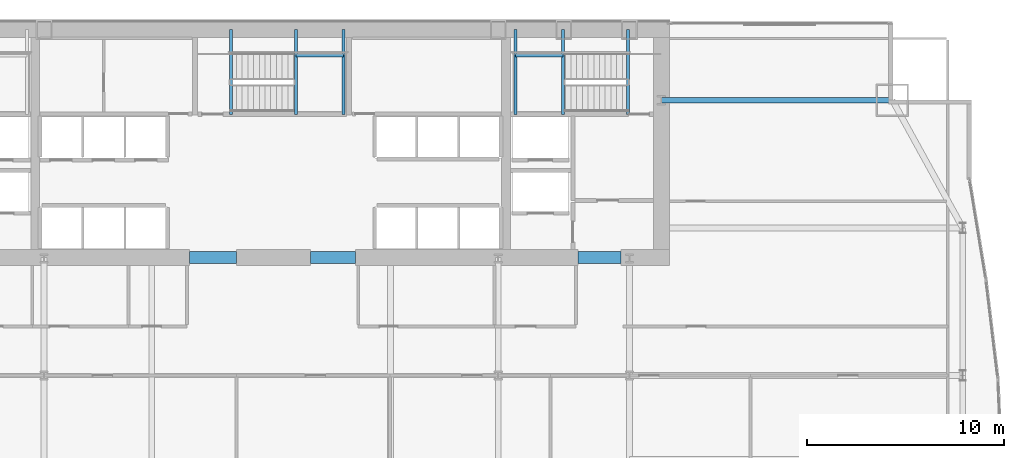
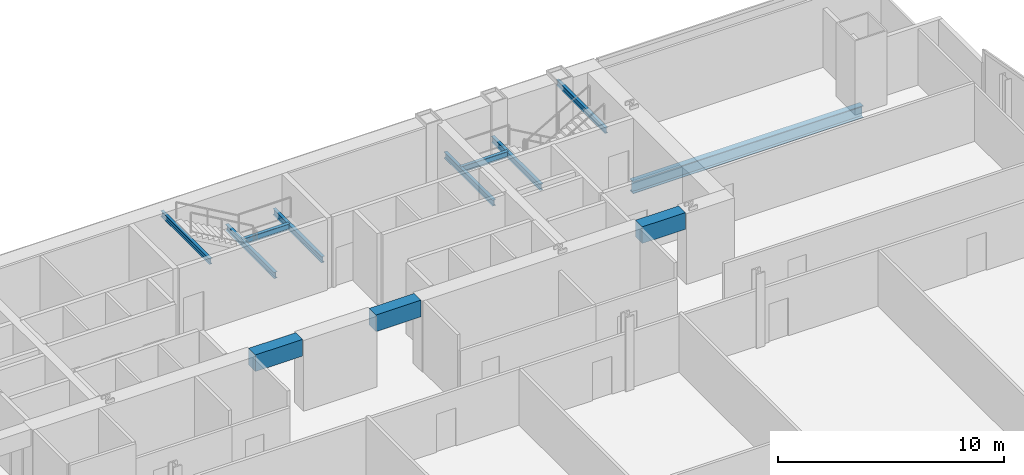
# One storey, part 19 of 32: 12 beams.
"""IFC4 building model written with IfcOpenShell, lengths in metres."""

from ifc_helpers import new_model, si_unit, direction, frame, origin, origin_2d, place, context, subcontext, project, spatial, rectangle, i_section, extrude, material, material_profile, profile_set, type_object, element, save


model = new_model("IFC4")

# Units and contexts
model_context = context("Model", 3, precision=1e-05, world=origin(), true_north=direction((0.0, 1.0)))
body_context = subcontext(model_context, "Body", "Model", "MODEL_VIEW")
ifc_project = project(units=[si_unit("LENGTHUNIT", "METRE"), si_unit("AREAUNIT", "SQUARE_METRE"), si_unit("VOLUMEUNIT", "CUBIC_METRE"), si_unit("PLANEANGLEUNIT", "RADIAN"), si_unit("MASSUNIT", "GRAM", prefix="KILO")], contexts=[model_context])

# Site, building, storey
site_placement = place(None, origin())
site = spatial("IfcSite", under=ifc_project, at=site_placement, CompositionType="ELEMENT")
building_placement = place(site_placement, origin())
building = spatial("IfcBuilding", under=site, at=building_placement, Name="Khoronbel Lancet Exchange", CompositionType="ELEMENT")
storey_placement = place(building_placement, frame((0.0, 0.0, 65.800048828125)))
storey = spatial("IfcBuildingStorey", under=building, at=storey_placement, Name="L15", CompositionType="ELEMENT", Elevation=65.800048828125)

# Beams
ifc_material_1 = material(Name="Steel S355", Category="steel")
ifc_material_profile_1 = material_profile(ifc_material_1, i_section(OverallWidth=0.159912109375, OverallDepth=0.330078125, WebThickness=0.007568359375, FlangeThickness=0.011474609375, at=origin_2d()), Name="IPE 330")
ifc_profile_set_1 = profile_set([ifc_material_profile_1], Name="Steel S355")
beam_type_1 = type_object("IfcBeamType", Name="BM-BJ7", PredefinedType="JOIST", material=ifc_profile_set_1)
for number, where, z_axis, x_axis, name in (
    (1, (51.2900390625, 48.97998046875, 1.635009765625), (0.0, 1.0, 0.0), (-1.0, 0.0, 0.0), "Level L15 stair ST2 landing bearer beam 1"),
    (2, (48.8701171875, 48.97998046875, 1.635009765625), (0.0, 1.0, 0.0), (-1.0, 0.0, 0.0), "Level L15 stair ST2 rear landing bearer beam 1"),
):
    element("IfcBeam", number, at=place(storey_placement, frame(where, z_axis=z_axis, x_axis=x_axis)), inside=storey, type_object=beam_type_1, Name=name, PredefinedType="JOIST", context=body_context, shape_type="SweptSolid", body=[
        extrude(i_section(OverallWidth=0.159912109375, OverallDepth=0.330078125, WebThickness=0.007568359375, FlangeThickness=0.011474609375, at=origin_2d()), origin(), (0.0, 0.0, 1.0), 4.320068359375),
    ])
beam_1_placement = place(storey_placement, frame((48.8701171875, 51.97998046875, 1.635009765625), z_axis=(1.0, 0.0, 0.0), x_axis=(0.0, 1.0, 0.0)))
element("IfcBeam", 3, at=beam_1_placement, inside=storey, type_object=beam_type_1, Name="Level L15 stair ST2 landing cross trimmer beam 1", PredefinedType="JOIST", context=body_context, shape_type="SweptSolid", body=[
    extrude(i_section(OverallWidth=0.159912109375, OverallDepth=0.330078125, WebThickness=0.007568359375, FlangeThickness=0.011474609375, at=origin_2d()), origin(), (0.0, 0.0, 1.0), 2.419921875),
])
for number, where, z_axis, x_axis, name in (
    (4, (37.7099609375, 48.97998046875, 1.635009765625), (0.0, 1.0, 0.0), (-1.0, 0.0, 0.0), "Level L15 stair ST3 landing bearer beam 1"),
    (5, (40.1298828125, 48.97998046875, 1.635009765625), (0.0, 1.0, 0.0), (-1.0, 0.0, 0.0), "Level L15 stair ST3 rear landing bearer beam 1"),
):
    element("IfcBeam", number, at=place(storey_placement, frame(where, z_axis=z_axis, x_axis=x_axis)), inside=storey, type_object=beam_type_1, Name=name, PredefinedType="JOIST", context=body_context, shape_type="SweptSolid", body=[
        extrude(i_section(OverallWidth=0.159912109375, OverallDepth=0.330078125, WebThickness=0.007568359375, FlangeThickness=0.011474609375, at=origin_2d()), origin(), (0.0, 0.0, 1.0), 4.320068359375),
    ])
beam_2_placement = place(storey_placement, frame((37.7099609375, 51.97998046875, 1.635009765625), z_axis=(1.0, 0.0, 0.0), x_axis=(0.0, 1.0, 0.0)))
element("IfcBeam", 6, at=beam_2_placement, inside=storey, type_object=beam_type_1, Name="Level L15 stair ST3 landing cross trimmer beam 1", PredefinedType="JOIST", context=body_context, shape_type="SweptSolid", body=[
    extrude(i_section(OverallWidth=0.159912109375, OverallDepth=0.330078125, WebThickness=0.007568359375, FlangeThickness=0.011474609375, at=origin_2d()), origin(), (0.0, 0.0, 1.0), 2.419921875),
])
ifc_material_profile_2 = material_profile(ifc_material_1, i_section(OverallWidth=0.14990234375, OverallDepth=0.300048828125, WebThickness=0.007080078125, FlangeThickness=0.0107421875, at=origin_2d()), Name="IPE 300")
ifc_profile_set_2 = profile_set([ifc_material_profile_2], Name="Steel S355")
beam_type_2 = type_object("IfcBeamType", Name="BM-BJ8", PredefinedType="JOIST", material=ifc_profile_set_2)
for number, where, z_axis, x_axis, name in (
    (7, (54.60009765625, 48.97998046875, 3.5400390625), (0.0, 1.0, 0.0), (-1.0, 0.0, 0.0), "Level L15 stair ST2 upper-flight arrival trimmer beam"),
    (8, (34.39990234375, 48.97998046875, 3.5400390625), (0.0, 1.0, 0.0), (-1.0, 0.0, 0.0), "Level L15 stair ST3 upper-flight arrival trimmer beam"),
):
    element("IfcBeam", number, at=place(storey_placement, frame(where, z_axis=z_axis, x_axis=x_axis)), inside=storey, type_object=beam_type_2, Name=name, PredefinedType="JOIST", context=body_context, shape_type="SweptSolid", body=[
        extrude(i_section(OverallWidth=0.14990234375, OverallDepth=0.300048828125, WebThickness=0.007080078125, FlangeThickness=0.0107421875, at=origin_2d()), origin(), (0.0, 0.0, 1.0), 4.320068359375),
    ])
ifc_material_2 = material(Name="Concrete C80/95", Category="concrete")
ifc_material_profile_3 = material_profile(ifc_material_2, rectangle(XDim=0.60009765625, YDim=0.89990234375, at=origin_2d()), Name="RC 600x900")
ifc_profile_set_3 = profile_set([ifc_material_profile_3], Name="Concrete C80/95")
beam_type_3 = type_object("IfcBeamType", Name="BM-BL1", PredefinedType="LINTEL", material=ifc_profile_set_3)
beam_3_placement = place(storey_placement, frame((32.300048828125, 41.699951171875, 3.369873046875), z_axis=(1.0, 0.0, 0.0), x_axis=(0.0, 1.0, 0.0)))
element("IfcBeam", 9, at=beam_3_placement, inside=storey, type_object=beam_type_3, Name="Level L15 rear core coupling lintel L2", PredefinedType="LINTEL", context=body_context, shape_type="SweptSolid", body=[
    extrude(rectangle(XDim=0.60009765625, YDim=0.89990234375, at=origin_2d()), origin(), (0.0, 0.0, 1.0), 2.39990234375),
])
beam_4_placement = place(storey_placement, frame((38.449951171875, 41.699951171875, 3.369873046875), z_axis=(1.0, 0.0, 0.0), x_axis=(0.0, 1.0, 0.0)))
element("IfcBeam", 10, at=beam_4_placement, inside=storey, type_object=beam_type_3, Name="Level L15 rear core coupling lintel L3", PredefinedType="LINTEL", context=body_context, shape_type="SweptSolid", body=[
    extrude(rectangle(XDim=0.60009765625, YDim=0.89990234375, at=origin_2d()), origin(), (0.0, 0.0, 1.0), 2.300048828125),
])
beam_5_placement = place(storey_placement, frame((52.050048828125, 41.699951171875, 3.369873046875), z_axis=(1.0, 0.0, 0.0), x_axis=(0.0, 1.0, 0.0)))
element("IfcBeam", 11, at=beam_5_placement, inside=storey, type_object=beam_type_3, Name="Level L15 rear core coupling lintel L4", PredefinedType="LINTEL", context=body_context, shape_type="SweptSolid", body=[
    extrude(rectangle(XDim=0.60009765625, YDim=0.89990234375, at=origin_2d()), origin(), (0.0, 0.0, 1.0), 2.199951171875),
])
ifc_material_profile_4 = material_profile(ifc_material_1, i_section(OverallWidth=0.300048828125, OverallDepth=0.64990234375, WebThickness=0.01611328125, FlangeThickness=0.031005859375, at=origin_2d()), Name="HEB 650")
ifc_profile_set_4 = profile_set([ifc_material_profile_4], Name="Steel S355")
beam_type_4 = type_object("IfcBeamType", Name="BM-BSP1", PredefinedType="SPANDREL", material=ifc_profile_set_4)
beam_6_placement = place(storey_placement, frame((68.050048828125, 49.699951171875, -0.505126953125), z_axis=(-1.0, 0.0, 0.0), x_axis=(0.0, -1.0, 0.0)))
element("IfcBeam", 12, at=beam_6_placement, inside=storey, type_object=beam_type_4, Name="Level L15 north flank tie spandrel SP23", PredefinedType="SPANDREL", context=body_context, shape_type="SweptSolid", body=[
    extrude(i_section(OverallWidth=0.300048828125, OverallDepth=0.64990234375, WebThickness=0.01611328125, FlangeThickness=0.031005859375, at=origin_2d()), origin(), (0.0, 0.0, 1.0), 11.75),
])

save(model, "model.ifc")
